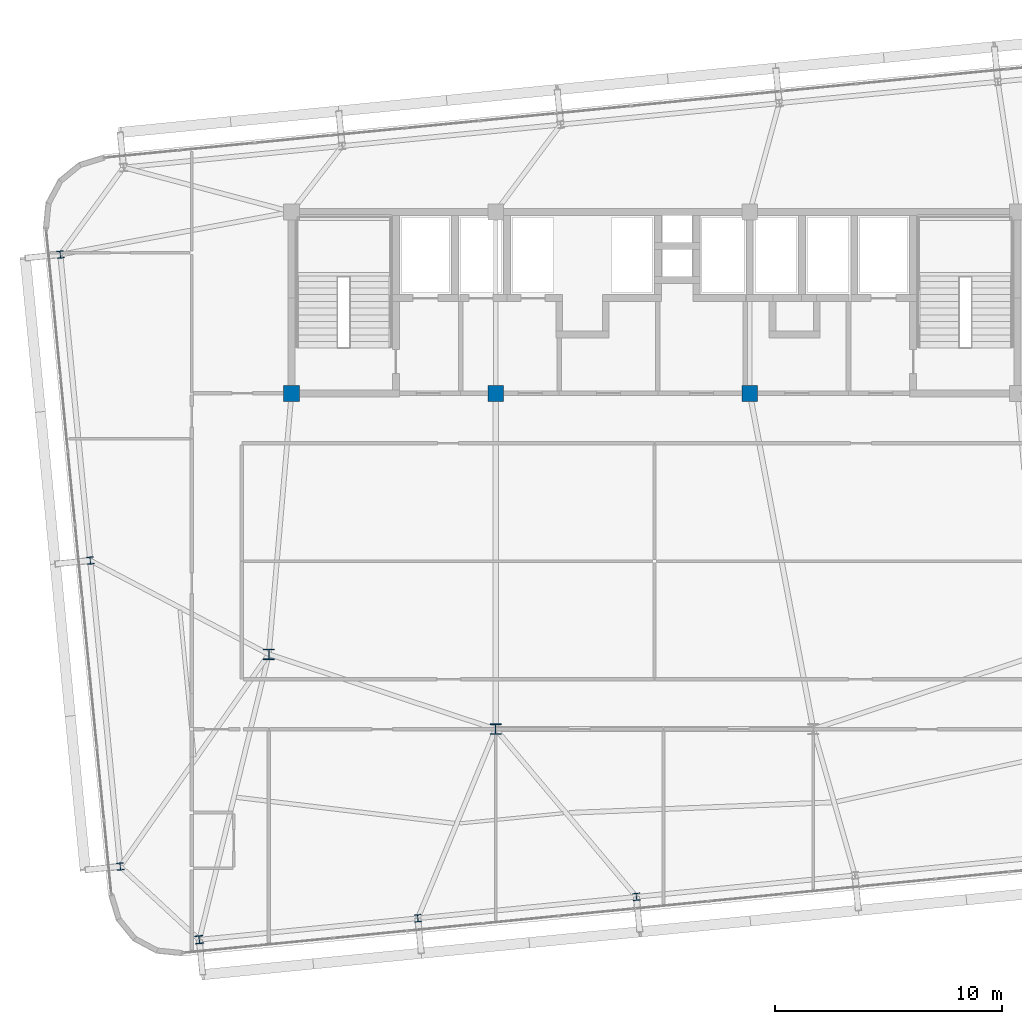
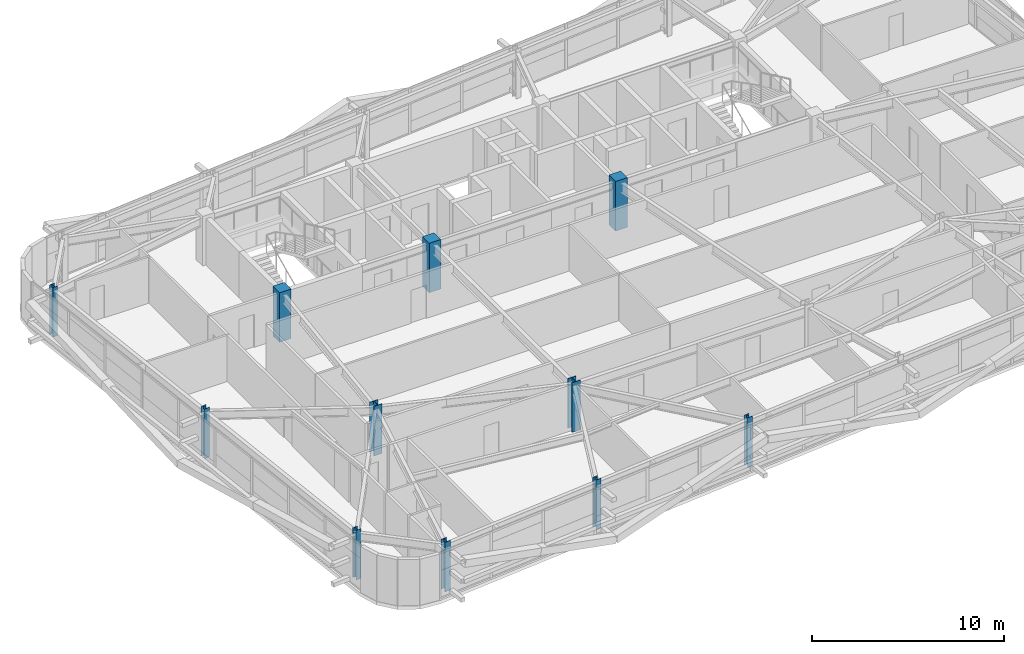
# One storey, part 1 of 52: 11 columns.
"""IFC4 building model written with IfcOpenShell, lengths in metres."""

from ifc_helpers import new_model, si_unit, direction, frame, origin, origin_2d, place, context, subcontext, project, spatial, rectangle, i_section, extrude, source, transform, mapped, material, material_profile, profile_set, type_object, element, save


model = new_model("IFC4")

# Units and contexts
model_context = context("Model", 3, precision=1e-05, world=origin(), true_north=direction((0.0, 1.0)))
body_context = subcontext(model_context, "Body", "Model", "MODEL_VIEW")
ifc_project = project(units=[si_unit("LENGTHUNIT", "METRE"), si_unit("AREAUNIT", "SQUARE_METRE"), si_unit("VOLUMEUNIT", "CUBIC_METRE"), si_unit("PLANEANGLEUNIT", "RADIAN"), si_unit("MASSUNIT", "GRAM", prefix="KILO")], contexts=[model_context])

# Site, building, storey
site_placement = place(None, origin())
site = spatial("IfcSite", under=ifc_project, at=site_placement, CompositionType="ELEMENT")
building_placement = place(site_placement, origin())
building = spatial("IfcBuilding", under=site, at=building_placement, Name="Taldren Reach Tower", CompositionType="ELEMENT")
storey_placement = place(building_placement, frame((0.0, 0.0, 77.699951171875)))
storey = spatial("IfcBuildingStorey", under=building, at=storey_placement, Name="L23", CompositionType="ELEMENT", Elevation=77.699951171875)

# Columns
ifc_material_1 = material(Name="Steel Gr 350 (350PLUS)", Category="steel")
ifc_material_profile_1 = material_profile(ifc_material_1, i_section(OverallWidth=0.5, OverallDepth=0.464111328125, WebThickness=0.02197265625, FlangeThickness=0.033935546875, at=origin_2d()), Name="500WC340")
ifc_profile_set_1 = profile_set([ifc_material_profile_1], Name="Steel Gr 350 (350PLUS)")
column_type_1 = type_object("IfcColumnType", Name="COL-WC500B", PredefinedType="COLUMN", material=ifc_profile_set_1)
shared_shape_1 = source(origin(), body_context, "Body", "SweptSolid", [
    extrude(i_section(OverallWidth=0.5, OverallDepth=0.464111328125, WebThickness=0.02197265625, FlangeThickness=0.033935546875, at=origin_2d()), origin(), (0.0, 0.0, 1.0), 3.150146484375),
])
for number, where, z_axis, x_axis, name in (
    (1, (28.0, 9.199951171875, 0.0), (0.0, 0.0, 1.0), (1.0, 0.0, 0.0), "Mega column MC-PJW L23"),
    (2, (18.0, 12.5, 0.0), (0.0, 0.0, 1.0), (1.0, 0.0, 0.0), "Mega column MC-SW L23"),
):
    element("IfcColumn", number, at=place(storey_placement, frame(where, z_axis=z_axis, x_axis=x_axis)), inside=storey, type_object=column_type_1, Name=name, PredefinedType="COLUMN", context=body_context, shape_type="MappedRepresentation", body=[
        mapped(shared_shape_1, transform((0.0, 0.0, 0.0), scale=1.0)),
    ])
ifc_material_2 = material(Name="Concrete S65 (65 MPa)", Category="concrete")
ifc_material_profile_2 = material_profile(ifc_material_2, rectangle(XDim=0.699951171875, YDim=0.699951171875, at=origin_2d()), Name="RC-700x700")
ifc_profile_set_2 = profile_set([ifc_material_profile_2], Name="Concrete S65 (65 MPa)")
column_type_2 = type_object("IfcColumnType", Name="COL-RC700", PredefinedType="COLUMN", material=ifc_profile_set_2)
shared_shape_2 = source(origin(), body_context, "Body", "SweptSolid", [
    extrude(rectangle(XDim=0.699951171875, YDim=0.699951171875, at=origin_2d()), origin(), (0.0, 0.0, 1.0), 3.150146484375),
])
for number, where, z_axis, x_axis, name in (
    (3, (19.0, 24.0, 0.0), (0.0, 0.0, 1.0), (1.0, 0.0, 0.0), "Mega column MC-C1 L23"),
    (4, (28.0, 24.0, 0.0), (0.0, 0.0, 1.0), (1.0, 0.0, 0.0), "Mega column MC-C2 L23"),
    (5, (39.199951171875, 24.0, 0.0), (0.0, 0.0, 1.0), (1.0, 0.0, 0.0), "Mega column MC-C3 L23"),
):
    element("IfcColumn", number, at=place(storey_placement, frame(where, z_axis=z_axis, x_axis=x_axis)), inside=storey, type_object=column_type_2, Name=name, PredefinedType="COLUMN", context=body_context, shape_type="MappedRepresentation", body=[
        mapped(shared_shape_2, transform((0.0, 0.0, 0.0), scale=1.0)),
    ])
ifc_material_profile_3 = material_profile(ifc_material_1, i_section(OverallWidth=0.35009765625, OverallDepth=0.35595703125, WebThickness=0.01806640625, FlangeThickness=0.028076171875, at=origin_2d()), Name="350WC197")
ifc_profile_set_3 = profile_set([ifc_material_profile_3], Name="Steel Gr 350 (350PLUS)")
column_type_3 = type_object("IfcColumnType", Name="COL-WC350", PredefinedType="COLUMN", material=ifc_profile_set_3)
shared_shape_3 = source(origin(), body_context, "Body", "SweptSolid", [
    extrude(i_section(OverallWidth=0.35009765625, OverallDepth=0.35595703125, WebThickness=0.01806640625, FlangeThickness=0.028076171875, at=origin_2d()), origin(), (0.0, 0.0, 1.0), 3.150146484375),
])
column_placement = place(storey_placement, frame((14.93408203125, -0.079833984375, 0.0), z_axis=(0.0, 0.0, 1.0), x_axis=(0.995227399982, 0.097582899759, 0.0)))
element("IfcColumn", 6, at=column_placement, inside=storey, type_object=column_type_3, Name="Block B2 perimeter column S1 L23", PredefinedType="COLUMN", context=body_context, shape_type="MappedRepresentation", body=[
    mapped(shared_shape_3, transform((0.0, 0.0, 0.0), scale=1.0)),
])
ifc_material_profile_4 = material_profile(ifc_material_1, i_section(OverallWidth=0.306884765625, OverallDepth=0.31494140625, WebThickness=0.011962890625, FlangeThickness=0.018798828125, at=origin_2d()), Name="310UC118")
ifc_profile_set_4 = profile_set([ifc_material_profile_4], Name="Steel Gr 350 (350PLUS)")
column_type_4 = type_object("IfcColumnType", Name="COL-UC310B", PredefinedType="COLUMN", material=ifc_profile_set_4)
shared_shape_4 = source(origin(), body_context, "Body", "SweptSolid", [
    extrude(i_section(OverallWidth=0.306884765625, OverallDepth=0.31494140625, WebThickness=0.011962890625, FlangeThickness=0.018798828125, at=origin_2d()), origin(), (0.0, 0.0, 1.0), 3.150146484375),
])
for number, where, z_axis, x_axis, name in (
    (7, (24.56787109375, 0.86474609375, 0.0), (0.0, 0.0, 1.0), (0.995227399982, 0.097582899759, 0.0), "Block B2 perimeter column S2 L23"),
    (8, (34.20166015625, 1.809326171875, 0.0), (0.0, 0.0, 1.0), (0.995227399982, 0.097582899759, 0.0), "Block B2 perimeter column S3 L23"),
    (9, (11.452880859375, 3.145751953125, 0.0), (0.0, 0.0, 1.0), (0.995227399982, 0.097582899759, 0.0), "Block B2 perimeter column W1 L23"),
    (10, (10.130615234375, 16.631103515625, 0.0), (0.0, 0.0, 1.0), (0.995227399982, 0.097582899759, 0.0), "Block B2 perimeter column W2 L23"),
    (11, (8.808349609375, 30.116455078125, 0.0), (0.0, 0.0, 1.0), (0.995227399982, 0.097582899759, 0.0), "Block B2 perimeter column W3 L23"),
):
    element("IfcColumn", number, at=place(storey_placement, frame(where, z_axis=z_axis, x_axis=x_axis)), inside=storey, type_object=column_type_4, Name=name, PredefinedType="COLUMN", context=body_context, shape_type="MappedRepresentation", body=[
        mapped(shared_shape_4, transform((0.0, 0.0, 0.0), scale=1.0)),
    ])

save(model, "model.ifc")
